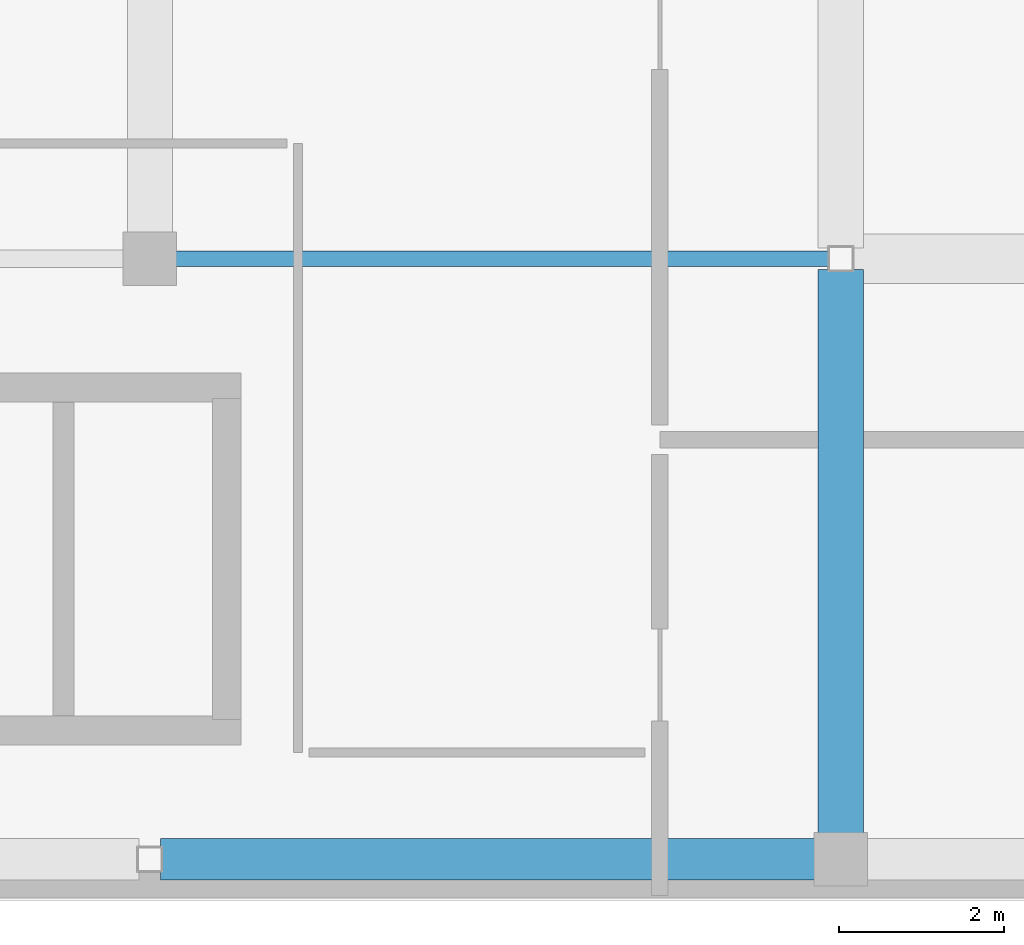
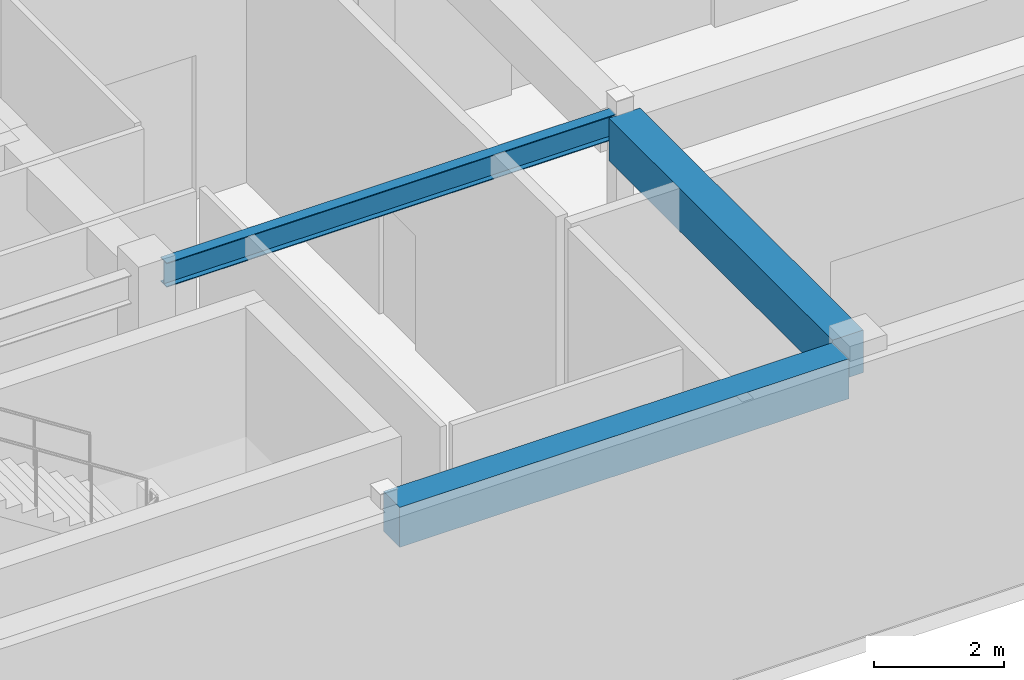
# One storey, part 36 of 148: 3 beams.
"""IFC4 building model written with IfcOpenShell, lengths in metres."""

from ifc_helpers import new_model, si_unit, direction, frame, origin, origin_2d, place, context, subcontext, project, spatial, rectangle, i_section, extrude, material, material_profile, profile_set, type_object, element, save


model = new_model("IFC4")

# Units and contexts
model_context = context("Model", 3, precision=1e-05, world=origin(), true_north=direction((0.0, 1.0)))
body_context = subcontext(model_context, "Body", "Model", "MODEL_VIEW")
ifc_project = project(units=[si_unit("LENGTHUNIT", "METRE"), si_unit("AREAUNIT", "SQUARE_METRE"), si_unit("VOLUMEUNIT", "CUBIC_METRE"), si_unit("PLANEANGLEUNIT", "RADIAN"), si_unit("MASSUNIT", "GRAM", prefix="KILO")], contexts=[model_context])

# Site, building, storey
site_placement = place(None, origin())
site = spatial("IfcSite", under=ifc_project, at=site_placement, CompositionType="ELEMENT")
building_placement = place(site_placement, origin())
building = spatial("IfcBuilding", under=site, at=building_placement, Name="Quendrovan Civic Courthouse", CompositionType="ELEMENT")
storey_placement = place(building_placement, origin())
storey = spatial("IfcBuildingStorey", under=building, at=storey_placement, Name="L01", CompositionType="ELEMENT", Elevation=0.0)

# Beams
ifc_material_1 = material(Name="Concrete C40/50", Category="concrete")
ifc_material_profile_1 = material_profile(ifc_material_1, rectangle(XDim=0.5, YDim=0.75, at=origin_2d()), Name="RC-BM-500x750")
ifc_profile_set_1 = profile_set([ifc_material_profile_1], Name="Concrete C40/50")
beam_type_1 = type_object("IfcBeamType", Name="BM-RC750", PredefinedType="SPANDREL", material=ifc_profile_set_1)
beam_1_placement = place(storey_placement, frame((84.1298828125, 0.5, 4.7451171875), z_axis=(1.0, 0.0, 0.0), x_axis=(0.0, 1.0, 0.0)))
element("IfcBeam", 1, at=beam_1_placement, inside=storey, type_object=beam_type_1, Name="L01 Girder X0247", PredefinedType="SPANDREL", context=body_context, shape_type="SweptSolid", body=[
    extrude(rectangle(XDim=0.5, YDim=0.75, at=origin_2d()), origin(), (0.0, 0.0, 1.0), 7.965087890625),
])
ifc_material_profile_2 = material_profile(ifc_material_1, rectangle(XDim=0.550048828125, YDim=0.800048828125, at=origin_2d()), Name="RC-BM-550x800")
ifc_profile_set_2 = profile_set([ifc_material_profile_2], Name="Concrete C40/50")
beam_type_2 = type_object("IfcBeamType", Name="BM-RC800", PredefinedType="BEAM", material=ifc_profile_set_2)
beam_2_placement = place(storey_placement, frame((92.39990234375, 0.804931640625, 4.719970703125), z_axis=(0.0, 1.0, 0.0), x_axis=(-1.0, 0.0, 0.0)))
element("IfcBeam", 2, at=beam_2_placement, inside=storey, type_object=beam_type_2, Name="L01 Girder Y0441", PredefinedType="BEAM", context=body_context, shape_type="SweptSolid", body=[
    extrude(rectangle(XDim=0.550048828125, YDim=0.800048828125, at=origin_2d()), origin(), (0.0, 0.0, 1.0), 6.864990234375),
])
ifc_material_2 = material(Name="Steel ASTM A992 Grade 50", Category="steel")
ifc_material_profile_3 = material_profile(ifc_material_2, i_section(OverallWidth=0.18994140625, OverallDepth=0.45703125, WebThickness=0.009033203125, FlangeThickness=0.014404296875, at=origin_2d()), Name="W18X50")
ifc_profile_set_3 = profile_set([ifc_material_profile_3], Name="Steel ASTM A992 Grade 50")
beam_type_3 = type_object("IfcBeamType", Name="BM-STL-W18", PredefinedType="JOIST", material=ifc_profile_set_3)
beam_3_placement = place(storey_placement, frame((84.304931640625, 7.800048828125, 4.8916015625), z_axis=(1.0, 0.0, 0.0), x_axis=(0.0, 1.0, 0.0)))
element("IfcBeam", 3, at=beam_3_placement, inside=storey, type_object=beam_type_3, Name="L01 Girder X0260", PredefinedType="JOIST", context=body_context, shape_type="SweptSolid", body=[
    extrude(i_section(OverallWidth=0.18994140625, OverallDepth=0.45703125, WebThickness=0.009033203125, FlangeThickness=0.014404296875, at=origin_2d()), origin(), (0.0, 0.0, 1.0), 7.965087890625),
])

save(model, "model.ifc")
